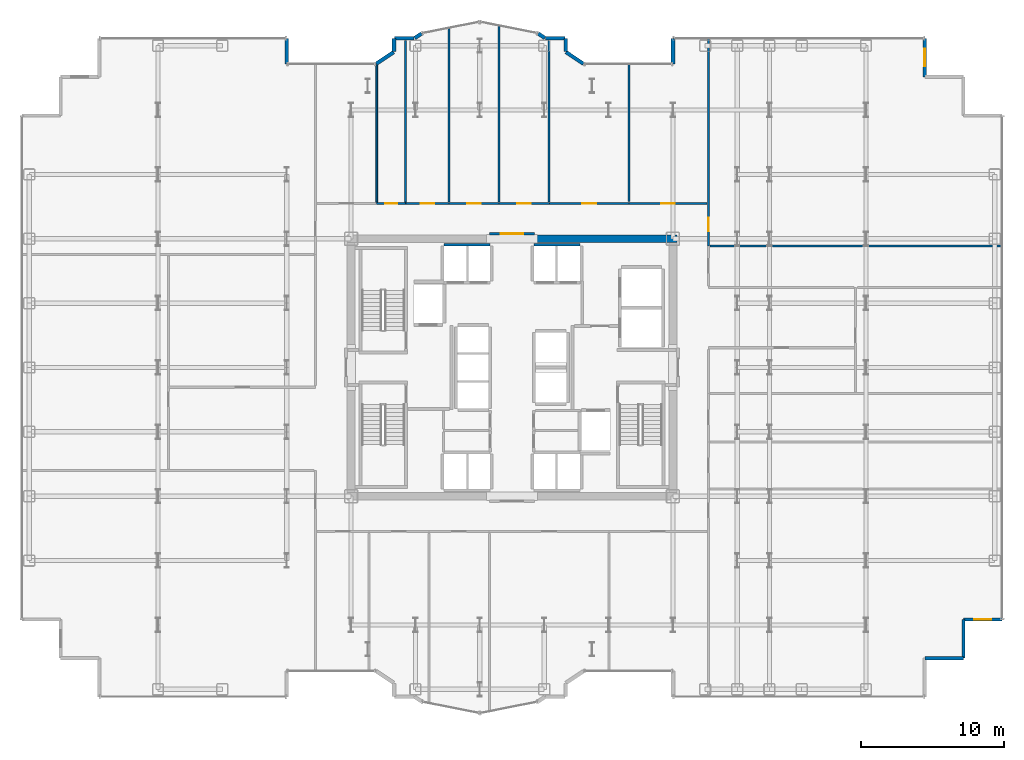
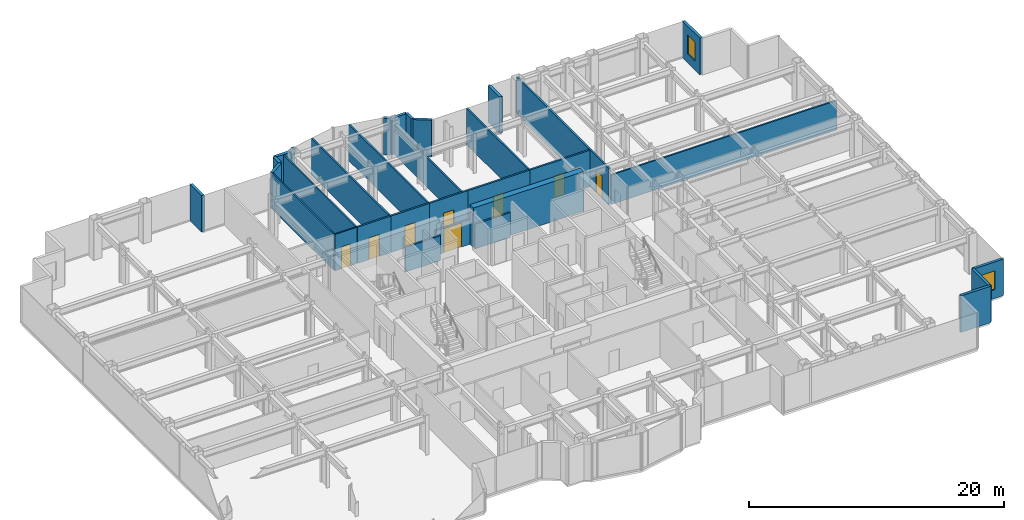
# One storey, part 24 of 26: 32 walls, 8 doors, 2 windows, 10 openings.
"""IFC4 building model written with IfcOpenShell, lengths in metres."""

from ifc_helpers import new_model, si_unit, direction, frame, frame_2d, origin, place, context, subcontext, project, spatial, rectangle, extrude, source, transform, mapped, material, layer, layer_set, type_object, element, fill, save


model = new_model("IFC4")

# Units and contexts
model_context = context("Model", 3, precision=1e-05, world=origin(), true_north=direction((0.0, 1.0)))
body_context = subcontext(model_context, "Body", "Model", "MODEL_VIEW")
ifc_project = project(units=[si_unit("LENGTHUNIT", "METRE"), si_unit("AREAUNIT", "SQUARE_METRE"), si_unit("VOLUMEUNIT", "CUBIC_METRE"), si_unit("PLANEANGLEUNIT", "RADIAN"), si_unit("MASSUNIT", "GRAM", prefix="KILO")], contexts=[model_context])

# Site, building, storey
site_placement = place(None, origin())
site = spatial("IfcSite", under=ifc_project, at=site_placement, CompositionType="ELEMENT")
building_placement = place(site_placement, origin())
building = spatial("IfcBuilding", under=site, at=building_placement, Name="Nefas-Gora Pilgrimage Tower", CompositionType="ELEMENT")
storey_placement = place(building_placement, frame((0.0, 0.0, 140.199951171875)))
storey = spatial("IfcBuildingStorey", under=building, at=storey_placement, Name="L34", CompositionType="ELEMENT", Elevation=140.199951171875)

# Walls
ifc_material_1 = material(Name="Concrete C60/75", Category="concrete")
ifc_layer_1 = layer(ifc_material_1, 0.550048828125)
ifc_layer_set_1 = layer_set([ifc_layer_1], Name="Concrete C60/75")
wall_type_1 = type_object("IfcWallType", Name="SW-CORE-550", PredefinedType="SHEAR", material=ifc_layer_set_1)
shared_shape_1 = source(origin(), body_context, "Body", "SweptSolid", [
    extrude(rectangle(XDim=9.974853515625, YDim=0.550048828125, at=frame_2d((4.9873046875, 0.0))), origin(), (0.0, 0.0, 1.0), 3.800048828125),
])
wall_1_placement = place(storey_placement, frame((1.550048828125, 9.0, 0.0), z_axis=(0.0, 0.0, 1.0), x_axis=(1.0, 0.0, 0.0)))
element("IfcWall", 1, at=wall_1_placement, inside=storey, type_object=wall_type_1, Name="L34 Core Shear Wall N-East", PredefinedType="SHEAR", context=body_context, shape_type="MappedRepresentation", body=[
    mapped(shared_shape_1, transform((0.0, 0.0, 0.0), x_axis=(1.0, 0.0, 0.0), y_axis=(0.0, 1.0, 0.0), z_axis=(0.0, 0.0, 1.0), scale=1.0)),
])
ifc_material_2 = material(Name="Precast concrete C40/50", Category="concrete")
ifc_layer_2 = layer(ifc_material_2, 0.260009765625)
ifc_layer_set_2 = layer_set([ifc_layer_2], Name="Precast concrete C40/50")
wall_type_2 = type_object("IfcWallType", Name="EW-PORTAL-260", PredefinedType="SOLIDWALL", material=ifc_layer_set_2)
shared_shape_2 = source(origin(), body_context, "Body", "SweptSolid", [
    extrude(rectangle(XDim=1.800048828125, YDim=0.260009765625, at=frame_2d((0.89990234375, 0.0))), origin(), (0.0, 0.0, 1.0), 3.5),
])
for number, where, z_axis, x_axis, name in (
    (2, (11.25, 23.02001953125, 0.0), (0.0, 0.0, 1.0), (0.0, -1.0, 0.0), "L34 Lobe Shoulder Precast Spandrel Pier 10"),
    (3, (-15.75, 21.219970703125, 0.0), (0.0, 0.0, 1.0), (0.0, 1.0, 0.0), "L34 Lobe Shoulder Precast Spandrel Pier 19"),
):
    element("IfcWall", number, at=place(storey_placement, frame(where, z_axis=z_axis, x_axis=x_axis)), inside=storey, type_object=wall_type_2, Name=name, PredefinedType="SOLIDWALL", context=body_context, shape_type="MappedRepresentation", body=[
        mapped(shared_shape_2, transform((0.0, 0.0, 0.0), x_axis=(1.0, 0.0, 0.0), y_axis=(0.0, 1.0, 0.0), z_axis=(0.0, 0.0, 1.0), scale=1.0)),
    ])
ifc_material_3 = material(Name="Precast concrete C45/55", Category="concrete")
ifc_layer_3 = layer(ifc_material_3, 0.239990234375)
ifc_layer_set_3 = layer_set([ifc_layer_3], Name="Precast concrete C45/55")
wall_type_3 = type_object("IfcWallType", Name="EW-SERR-240", PredefinedType="SHEAR", material=ifc_layer_set_3)
shared_shape_3 = source(origin(), body_context, "Body", "SweptSolid", [
    extrude(rectangle(XDim=2.699951171875, YDim=0.239990234375, at=frame_2d((1.35009765625, 0.0))), origin(), (0.0, 0.0, 1.0), 3.5),
])
for number, where, z_axis, x_axis, name in (
    (4, (28.8701171875, -20.320068359375, 0.0), (0.0, 0.0, 1.0), (1.0, 0.0, 0.0), "L34 Serrated Corner Shear Pier Wall 3"),
    (5, (31.570068359375, -20.320068359375, 0.0), (0.0, 0.0, 1.0), (0.0, 1.0, 0.0), "L34 Serrated Corner Shear Pier Wall 4"),
):
    element("IfcWall", number, at=place(storey_placement, frame(where, z_axis=z_axis, x_axis=x_axis)), inside=storey, type_object=wall_type_3, Name=name, PredefinedType="SHEAR", context=body_context, shape_type="MappedRepresentation", body=[
        mapped(shared_shape_3, transform((0.0, 0.0, 0.0), x_axis=(1.0, 0.0, 0.0), y_axis=(0.0, 1.0, 0.0), z_axis=(0.0, 0.0, 1.0), scale=1.0)),
    ])

# Wall, opening, window
wall_2_placement = place(storey_placement, frame((31.570068359375, -17.6201171875, 0.0), z_axis=(0.0, 0.0, 1.0), x_axis=(1.0, 0.0, 0.0)))
wall_2 = element("IfcWall", 6, at=wall_2_placement, inside=storey, type_object=wall_type_3, Name="L34 Serrated Corner Shear Pier Wall 5", PredefinedType="SHEAR", context=body_context, shape_type="MappedRepresentation", body=[
    mapped(shared_shape_3, transform((0.0, 0.0, 0.0), x_axis=(1.0, 0.0, 0.0), y_axis=(0.0, 1.0, 0.0), z_axis=(0.0, 0.0, 1.0), scale=1.0)),
])
opening_1_placement = place(wall_2_placement, frame((0.75, 0.0, 0.85009765625)))
opening_1 = element("IfcOpeningElement", 7, at=opening_1_placement, cuts=wall_2, Name="Opening W-V1", PredefinedType="OPENING", context=body_context, shape_type="SweptSolid", body=[
    extrude(rectangle(XDim=1.199951171875, YDim=1.800048828125, at=frame_2d((0.60009765625, 0.89990234375))), frame((0.0, 0.1298828125, 0.0), z_axis=(0.0, -1.0, 0.0), x_axis=(1.0, 0.0, 0.0)), (0.0, 0.0, 1.0), 0.260009765625),
])
ifc_material_4 = material(Name="Dark ceramic-fritted operable aluminium-glass window", Category="aluminium")
window_type = type_object("IfcWindowType", Name="WIN-VENT-1200x1800", PartitioningType="SINGLE_PANEL", PredefinedType="WINDOW", material=ifc_material_4)
shared_shape_4 = source(origin(), body_context, "Body", "SweptSolid", [
    extrude(rectangle(XDim=1.199951171875, YDim=1.800048828125, at=frame_2d((0.60009765625, 0.89990234375))), frame((0.0, 0.030029296875, 0.0), z_axis=(0.0, -1.0, 0.0), x_axis=(1.0, 0.0, 0.0)), (0.0, 0.0, 1.0), 0.06005859375),
])
window_1_placement = place(opening_1_placement, origin())
window_1 = element("IfcWindow", 8, at=window_1_placement, inside=storey, type_object=window_type, Name="L34 Operable Parallel-Outswing Window 5", OverallHeight=1.800048828125, OverallWidth=1.199951171875, PartitioningType="SINGLE_PANEL", PredefinedType="WINDOW", context=body_context, shape_type="MappedRepresentation", body=[
    mapped(shared_shape_4, transform((0.0, 0.0, 0.0), x_axis=(1.0, 0.0, 0.0), y_axis=(0.0, 1.0, 0.0), z_axis=(0.0, 0.0, 1.0), scale=1.0)),
])
fill(opening_1, window_1)

wall_3_placement = place(storey_placement, frame((28.8701171875, 20.320068359375, 0.0), z_axis=(0.0, 0.0, 1.0), x_axis=(0.0, 1.0, 0.0)))
wall_3 = element("IfcWall", 9, at=wall_3_placement, inside=storey, type_object=wall_type_3, Name="L34 Serrated Corner Shear Pier Wall 9", PredefinedType="SHEAR", context=body_context, shape_type="MappedRepresentation", body=[
    mapped(shared_shape_3, transform((0.0, 0.0, 0.0), x_axis=(1.0, 0.0, 0.0), y_axis=(0.0, 1.0, 0.0), z_axis=(0.0, 0.0, 1.0), scale=1.0)),
])
opening_2_placement = place(wall_3_placement, frame((0.75, 0.0, 0.85009765625)))
opening_2 = element("IfcOpeningElement", 10, at=opening_2_placement, cuts=wall_3, Name="Opening W-V1", PredefinedType="OPENING", context=body_context, shape_type="SweptSolid", body=[
    extrude(rectangle(XDim=1.199951171875, YDim=1.800048828125, at=frame_2d((0.60009765625, 0.89990234375))), frame((0.0, 0.1298828125, 0.0), z_axis=(0.0, -1.0, 0.0), x_axis=(1.0, 0.0, 0.0)), (0.0, 0.0, 1.0), 0.260009765625),
])
window_2_placement = place(opening_2_placement, origin())
window_2 = element("IfcWindow", 11, at=window_2_placement, inside=storey, type_object=window_type, Name="L34 Operable Parallel-Outswing Window 9", OverallHeight=1.800048828125, OverallWidth=1.199951171875, PartitioningType="SINGLE_PANEL", PredefinedType="WINDOW", context=body_context, shape_type="MappedRepresentation", body=[
    mapped(shared_shape_4, transform((0.0, 0.0, 0.0), x_axis=(1.0, 0.0, 0.0), y_axis=(0.0, 1.0, 0.0), z_axis=(0.0, 0.0, 1.0), scale=1.0)),
])
fill(opening_2, window_2)

# Walls
shared_shape_5 = source(origin(), body_context, "Body", "SweptSolid", [
    extrude(rectangle(XDim=1.468994140625, YDim=0.260009765625, at=frame_2d((0.734375, 0.0))), origin(), (0.0, 0.0, 1.0), 3.5),
])
for number, where, z_axis, x_axis, name in (
    (12, (4.99462890625, 21.235595703125, 0.0), (0.0, 0.0, 1.0), (-0.831461760506, 0.555581983884, 0.0), "L34 Lobe Shoulder Precast Spandrel Pier 11"),
    (13, (-8.273193359375, 22.0517578125, 0.0), (0.0, 0.0, 1.0), (-0.831461760506, -0.555581983884, 0.0), "L34 Lobe Shoulder Precast Spandrel Pier 18"),
):
    element("IfcWall", number, at=place(storey_placement, frame(where, z_axis=z_axis, x_axis=x_axis)), inside=storey, type_object=wall_type_2, Name=name, PredefinedType="SOLIDWALL", context=body_context, shape_type="MappedRepresentation", body=[
        mapped(shared_shape_5, transform((0.0, 0.0, 0.0), x_axis=(1.0, 0.0, 0.0), y_axis=(0.0, 1.0, 0.0), z_axis=(0.0, 0.0, 1.0), scale=1.0)),
    ])
shared_shape_6 = source(origin(), body_context, "Body", "SweptSolid", [
    extrude(rectangle(XDim=0.896728515625, YDim=0.260009765625, at=frame_2d((0.4482421875, 0.0))), origin(), (0.0, 0.0, 1.0), 3.5),
])
for number, where, z_axis, x_axis, name in (
    (14, (3.75, 22.09521484375, 0.0), (0.0, 0.0, 1.0), (0.0, 1.0, 0.0), "L34 Lobe Shoulder Precast Spandrel Pier 12"),
    (15, (-8.25, 22.991943359375, 0.0), (0.0, 0.0, 1.0), (0.0, -1.0, 0.0), "L34 Lobe Shoulder Precast Spandrel Pier 17"),
):
    element("IfcWall", number, at=place(storey_placement, frame(where, z_axis=z_axis, x_axis=x_axis)), inside=storey, type_object=wall_type_2, Name=name, PredefinedType="SOLIDWALL", context=body_context, shape_type="MappedRepresentation", body=[
        mapped(shared_shape_6, transform((0.0, 0.0, 0.0), x_axis=(1.0, 0.0, 0.0), y_axis=(0.0, 1.0, 0.0), z_axis=(0.0, 0.0, 1.0), scale=1.0)),
    ])
shared_shape_7 = source(origin(), body_context, "Body", "SweptSolid", [
    extrude(rectangle(XDim=1.369873046875, YDim=0.260009765625, at=frame_2d((0.68505859375, 0.0))), origin(), (0.0, 0.0, 1.0), 3.5),
])
for number, where, z_axis, x_axis, name in (
    (16, (3.721923828125, 23.02001953125, 0.0), (0.0, 0.0, 1.0), (-1.0, 0.0, 0.0), "L34 Lobe Shoulder Precast Spandrel Pier 13"),
    (17, (-6.85205078125, 23.02001953125, 0.0), (0.0, 0.0, 1.0), (-1.0, 0.0, 0.0), "L34 Lobe Shoulder Precast Spandrel Pier 16"),
):
    element("IfcWall", number, at=place(storey_placement, frame(where, z_axis=z_axis, x_axis=x_axis)), inside=storey, type_object=wall_type_2, Name=name, PredefinedType="SOLIDWALL", context=body_context, shape_type="MappedRepresentation", body=[
        mapped(shared_shape_7, transform((0.0, 0.0, 0.0), x_axis=(1.0, 0.0, 0.0), y_axis=(0.0, 1.0, 0.0), z_axis=(0.0, 0.0, 1.0), scale=1.0)),
    ])
shared_shape_8 = source(origin(), body_context, "Body", "SweptSolid", [
    extrude(rectangle(XDim=0.5654296875, YDim=0.260009765625, at=frame_2d((0.28271484375, 0.0))), origin(), (0.0, 0.0, 1.0), 3.5),
])
for number, where, z_axis, x_axis, name in (
    (18, (2.30078125, 23.03564453125, 0.0), (0.0, 0.0, 1.0), (-0.831651492666, 0.555297933317, 0.0), "L34 Lobe Shoulder Precast Spandrel Pier 14"),
    (19, (-6.33056640625, 23.349609375, 0.0), (0.0, 0.0, 1.0), (-0.831651492666, -0.555297933317, 0.0), "L34 Lobe Shoulder Precast Spandrel Pier 15"),
):
    element("IfcWall", number, at=place(storey_placement, frame(where, z_axis=z_axis, x_axis=x_axis)), inside=storey, type_object=wall_type_2, Name=name, PredefinedType="SOLIDWALL", context=body_context, shape_type="MappedRepresentation", body=[
        mapped(shared_shape_8, transform((0.0, 0.0, 0.0), x_axis=(1.0, 0.0, 0.0), y_axis=(0.0, 1.0, 0.0), z_axis=(0.0, 0.0, 1.0), scale=1.0)),
    ])
ifc_material_5 = material(Name="Gypsum acoustic stud partition")
ifc_layer_4 = layer(ifc_material_5, 0.159912109375)
ifc_layer_set_4 = layer_set([ifc_layer_4], Name="Gypsum acoustic stud partition")
wall_type_4 = type_object("IfcWallType", Name="IW-CORR-160", PredefinedType="PARTITIONING", material=ifc_layer_set_4)
shared_shape_9 = source(origin(), body_context, "Body", "SweptSolid", [
    extrude(rectangle(XDim=3.199951171875, YDim=0.159912109375, at=frame_2d((1.60009765625, 0.0))), origin(), (0.0, 0.0, 1.0), 2.375),
])
for number, where, z_axis, x_axis, name in (
    (20, (-1.550048828125, 8.580078125, 0.0), (0.0, 0.0, 1.0), (-1.0, 0.0, 0.0), "L34 Hoistway Wall PL1-W-N"),
    (21, (4.75, 8.580078125, 0.0), (0.0, 0.0, 1.0), (-1.0, 0.0, 0.0), "L34 Hoistway Wall PL1-E-N"),
):
    element("IfcWall", number, at=place(storey_placement, frame(where, z_axis=z_axis, x_axis=x_axis)), inside=storey, type_object=wall_type_4, Name=name, PredefinedType="PARTITIONING", context=body_context, shape_type="MappedRepresentation", body=[
        mapped(shared_shape_9, transform((0.0, 0.0, 0.0), x_axis=(1.0, 0.0, 0.0), y_axis=(0.0, 1.0, 0.0), z_axis=(0.0, 0.0, 1.0), scale=1.0)),
    ])
ifc_material_6 = material(Name="Gypsum twin-stud partition")
ifc_layer_5 = layer(ifc_material_6, 0.139892578125)
ifc_layer_set_5 = layer_set([ifc_layer_5], Name="Gypsum twin-stud partition")
wall_type_5 = type_object("IfcWallType", Name="IW-UNIT-140", PredefinedType="PARTITIONING", material=ifc_layer_set_5)
shared_shape_10 = source(origin(), body_context, "Body", "SweptSolid", [
    extrude(rectangle(XDim=11.260009765625, YDim=0.139892578125, at=frame_2d((5.6298828125, 0.0))), origin(), (0.0, 0.0, 1.0), 2.824951171875),
])
wall_4_placement = place(storey_placement, frame((2.594970703125, 11.590087890625, 0.0), z_axis=(0.0, 0.0, 1.0), x_axis=(0.0, 1.0, 0.0)))
element("IfcWall", 22, at=wall_4_placement, inside=storey, type_object=wall_type_5, Name="L34 Pilgrim Contemplative Lounge Partition Wall 55", PredefinedType="PARTITIONING", context=body_context, shape_type="MappedRepresentation", body=[
    mapped(shared_shape_10, transform((0.0, 0.0, 0.0), x_axis=(1.0, 0.0, 0.0), y_axis=(0.0, 1.0, 0.0), z_axis=(0.0, 0.0, 1.0), scale=1.0)),
])
shared_shape_11 = source(origin(), body_context, "Body", "SweptSolid", [
    extrude(rectangle(XDim=20.429931640625, YDim=0.139892578125, at=frame_2d((10.21484375, 0.0))), origin(), (0.0, 0.0, 1.0), 2.824951171875),
])
wall_5_placement = place(storey_placement, frame((13.860107421875, 8.4951171875, 0.0), z_axis=(0.0, 0.0, 1.0), x_axis=(1.0, 0.0, 0.0)))
element("IfcWall", 23, at=wall_5_placement, inside=storey, type_object=wall_type_5, Name="L34 Pilgrim Contemplative Lounge Partition Wall 47", PredefinedType="PARTITIONING", context=body_context, shape_type="MappedRepresentation", body=[
    mapped(shared_shape_11, transform((0.0, 0.0, 0.0), x_axis=(1.0, 0.0, 0.0), y_axis=(0.0, 1.0, 0.0), z_axis=(0.0, 0.0, 1.0), scale=1.0)),
])

# Wall, opening, door
ifc_material_7 = material(Name="Moisture-resistant fire-rated gypsum partition")
ifc_layer_6 = layer(ifc_material_7, 0.1201171875)
ifc_layer_set_6 = layer_set([ifc_layer_6], Name="Moisture-resistant fire-rated gypsum partition")
wall_type_6 = type_object("IfcWallType", Name="IW-WET-120", PredefinedType="PLUMBINGWALL", material=ifc_layer_set_6)
shared_shape_12 = source(origin(), body_context, "Body", "SweptSolid", [
    extrude(rectangle(XDim=2.02001953125, YDim=0.1201171875, at=frame_2d((1.010009765625, 0.0))), origin(), (0.0, 0.0, 1.0), 3.485107421875),
])
wall_6_placement = place(storey_placement, frame((-9.4599609375, 11.469970703125, 0.0), z_axis=(0.0, 0.0, 1.0), x_axis=(1.0, 0.0, 0.0)))
wall_6 = element("IfcWall", 24, at=wall_6_placement, inside=storey, type_object=wall_type_6, Name="L34 Accessible Unisex WC Partition Wall 25", PredefinedType="PLUMBINGWALL", context=body_context, shape_type="MappedRepresentation", body=[
    mapped(shared_shape_12, transform((0.0, 0.0, 0.0), x_axis=(1.0, 0.0, 0.0), y_axis=(0.0, 1.0, 0.0), z_axis=(0.0, 0.0, 1.0), scale=1.0)),
])
opening_3_placement = place(wall_6_placement, frame((0.5849609375, 0.0, 0.0)))
opening_3 = element("IfcOpeningElement", 25, at=opening_3_placement, cuts=wall_6, Name="Opening ID-BT1", PredefinedType="OPENING", context=body_context, shape_type="SweptSolid", body=[
    extrude(rectangle(XDim=0.85009765625, YDim=2.10009765625, at=frame_2d((0.425048828125, 1.050048828125))), frame((0.0, 0.070068359375, 0.0), z_axis=(0.0, -1.0, 0.0), x_axis=(1.0, 0.0, 0.0)), (0.0, 0.0, 1.0), 0.14013671875),
])
ifc_material_8 = material(Name="Moisture-resistant fire-rated timber door", Category="wood")
door_type_1 = type_object("IfcDoorType", Name="DR-INT-BATH-850", OperationType="NOTDEFINED", PredefinedType="DOOR", material=ifc_material_8)
shared_shape_13 = source(origin(), body_context, "Body", "SweptSolid", [
    extrude(rectangle(XDim=0.85009765625, YDim=2.10009765625, at=frame_2d((0.425048828125, 1.050048828125))), frame((0.0, 0.02490234375, 0.0), z_axis=(0.0, -1.0, 0.0), x_axis=(1.0, 0.0, 0.0)), (0.0, 0.0, 1.0), 0.050048828125),
])
door_1_placement = place(opening_3_placement, origin())
door_1 = element("IfcDoor", 26, at=door_1_placement, inside=storey, type_object=door_type_1, Name="L34 Accessible Unisex WC Door 10", OperationType="SINGLE_SWING_RIGHT", OverallHeight=2.10009765625, OverallWidth=0.85009765625, PredefinedType="DOOR", context=body_context, shape_type="MappedRepresentation", body=[
    mapped(shared_shape_13, transform((0.0, 0.0, 0.0), x_axis=(1.0, 0.0, 0.0), y_axis=(0.0, 1.0, 0.0), z_axis=(0.0, 0.0, 1.0), scale=1.0)),
])
fill(opening_3, door_1)

# Walls
shared_shape_14 = source(origin(), body_context, "Body", "SweptSolid", [
    extrude(rectangle(XDim=11.280029296875, YDim=0.1201171875, at=frame_2d((5.64013671875, 0.0))), origin(), (0.0, 0.0, 1.0), 3.485107421875),
])
wall_7_placement = place(storey_placement, frame((-7.449951171875, 11.570068359375, 0.0), z_axis=(0.0, 0.0, 1.0), x_axis=(0.0, 1.0, 0.0)))
element("IfcWall", 27, at=wall_7_placement, inside=storey, type_object=wall_type_6, Name="L34 Accessible Unisex WC Partition Wall 26", PredefinedType="PLUMBINGWALL", context=body_context, shape_type="MappedRepresentation", body=[
    mapped(shared_shape_14, transform((0.0, 0.0, 0.0), x_axis=(1.0, 0.0, 0.0), y_axis=(0.0, 1.0, 0.0), z_axis=(0.0, 0.0, 1.0), scale=1.0)),
])
shared_shape_15 = source(origin(), body_context, "Body", "SweptSolid", [
    extrude(rectangle(XDim=9.586669921875, YDim=0.1201171875, at=frame_2d((4.79345703125, 0.0))), origin(), (0.0, 0.0, 1.0), 3.485107421875),
])
wall_8_placement = place(storey_placement, frame((-9.449951171875, 11.570068359375, 0.0), z_axis=(0.0, 0.0, 1.0), x_axis=(0.0, 1.0, 0.0)))
element("IfcWall", 28, at=wall_8_placement, inside=storey, type_object=wall_type_6, Name="L34 Accessible Unisex WC Partition Wall 27", PredefinedType="PLUMBINGWALL", context=body_context, shape_type="MappedRepresentation", body=[
    mapped(shared_shape_15, transform((0.0, 0.0, 0.0), x_axis=(1.0, 0.0, 0.0), y_axis=(0.0, 1.0, 0.0), z_axis=(0.0, 0.0, 1.0), scale=1.0)),
])
shared_shape_16 = source(origin(), body_context, "Body", "SweptSolid", [
    extrude(rectangle(XDim=9.64990234375, YDim=0.139892578125, at=frame_2d((4.824951171875, 0.0))), origin(), (0.0, 0.0, 1.0), 3.485107421875),
])
wall_9_placement = place(storey_placement, frame((8.195068359375, 11.590087890625, 0.0), z_axis=(0.0, 0.0, 1.0), x_axis=(0.0, 1.0, 0.0)))
element("IfcWall", 29, at=wall_9_placement, inside=storey, type_object=wall_type_5, Name="L34 Pilgrim Contemplative Lounge Partition Wall 57", PredefinedType="PARTITIONING", context=body_context, shape_type="MappedRepresentation", body=[
    mapped(shared_shape_16, transform((0.0, 0.0, 0.0), x_axis=(1.0, 0.0, 0.0), y_axis=(0.0, 1.0, 0.0), z_axis=(0.0, 0.0, 1.0), scale=1.0)),
])

# Wall, opening, door
shared_shape_17 = source(origin(), body_context, "Body", "SweptSolid", [
    extrude(rectangle(XDim=3.16015625, YDim=0.159912109375, at=frame_2d((1.580078125, 0.0))), origin(), (0.0, 0.0, 1.0), 2.375),
])
wall_10_placement = place(storey_placement, frame((-1.580078125, 9.35009765625, 0.0), z_axis=(0.0, 0.0, 1.0), x_axis=(1.0, 0.0, 0.0)))
wall_10 = element("IfcWall", 30, at=wall_10_placement, inside=storey, type_object=wall_type_4, Name="L34 Central Lift Lobby North Portal Wall 13", PredefinedType="PARTITIONING", context=body_context, shape_type="MappedRepresentation", body=[
    mapped(shared_shape_17, transform((0.0, 0.0, 0.0), x_axis=(1.0, 0.0, 0.0), y_axis=(0.0, 1.0, 0.0), z_axis=(0.0, 0.0, 1.0), scale=1.0)),
])
opening_4_placement = place(wall_10_placement, frame((0.780029296875, 0.0, 0.0)))
opening_4 = element("IfcOpeningElement", 31, at=opening_4_placement, cuts=wall_10, Name="Opening ID-HL1", PredefinedType="OPENING", context=body_context, shape_type="SweptSolid", body=[
    extrude(rectangle(XDim=1.60009765625, YDim=2.300048828125, at=frame_2d((0.800048828125, 1.14990234375))), frame((0.0, 0.08984375, 0.0), z_axis=(0.0, -1.0, 0.0), x_axis=(1.0, 0.0, 0.0)), (0.0, 0.0, 1.0), 0.179931640625),
])
ifc_material_9 = material(Name="Double acoustic timber assembly hall door", Category="wood")
door_type_2 = type_object("IfcDoorType", Name="DR-INT-HALL-1600", OperationType="DOUBLE_DOOR_SINGLE_SWING", PredefinedType="DOOR", material=ifc_material_9)
shared_shape_18 = source(origin(), body_context, "Body", "SweptSolid", [
    extrude(rectangle(XDim=1.60009765625, YDim=2.300048828125, at=frame_2d((0.800048828125, 1.14990234375))), frame((0.0, 0.02490234375, 0.0), z_axis=(0.0, -1.0, 0.0), x_axis=(1.0, 0.0, 0.0)), (0.0, 0.0, 1.0), 0.050048828125),
])
door_2_placement = place(opening_4_placement, origin())
door_2 = element("IfcDoor", 32, at=door_2_placement, inside=storey, type_object=door_type_2, Name="L34 Central Lift Lobby North Portal Door 4", OperationType="DOUBLE_DOOR_SINGLE_SWING", OverallHeight=2.300048828125, OverallWidth=1.60009765625, PredefinedType="DOOR", context=body_context, shape_type="MappedRepresentation", body=[
    mapped(shared_shape_18, transform((0.0, 0.0, 0.0), x_axis=(1.0, 0.0, 0.0), y_axis=(0.0, 1.0, 0.0), z_axis=(0.0, 0.0, 1.0), scale=1.0)),
])
fill(opening_4, door_2)

shared_shape_19 = source(origin(), body_context, "Body", "SweptSolid", [
    extrude(rectangle(XDim=14.544921875, YDim=0.159912109375, at=frame_2d((7.2724609375, 0.0))), origin(), (0.0, 0.0, 1.0), 3.485107421875),
])
wall_11_placement = place(storey_placement, frame((13.739990234375, 8.4951171875, 0.0), z_axis=(0.0, 0.0, 1.0), x_axis=(0.0, 1.0, 0.0)))
wall_11 = element("IfcWall", 33, at=wall_11_placement, inside=storey, type_object=wall_type_4, Name="L34 Pilgrim Contemplative Lounge Partition Wall 48", PredefinedType="PARTITIONING", context=body_context, shape_type="MappedRepresentation", body=[
    mapped(shared_shape_19, transform((0.0, 0.0, 0.0), x_axis=(1.0, 0.0, 0.0), y_axis=(0.0, 1.0, 0.0), z_axis=(0.0, 0.0, 1.0), scale=1.0)),
])
opening_5_placement = place(wall_11_placement, frame((1.032470703125, 0.0, 0.0)))
opening_5 = element("IfcOpeningElement", 34, at=opening_5_placement, cuts=wall_11, Name="Opening ID-GR1", PredefinedType="OPENING", context=body_context, shape_type="SweptSolid", body=[
    extrude(rectangle(XDim=0.949951171875, YDim=2.10009765625, at=frame_2d((0.47509765625, 1.050048828125))), frame((0.0, 0.08984375, 0.0), z_axis=(0.0, -1.0, 0.0), x_axis=(1.0, 0.0, 0.0)), (0.0, 0.0, 1.0), 0.179931640625),
])
ifc_material_10 = material(Name="Solid core oak fire-rated guest entrance door")
door_type_3 = type_object("IfcDoorType", Name="DR-INT-GUEST-950", OperationType="NOTDEFINED", PredefinedType="DOOR", material=ifc_material_10)
shared_shape_20 = source(origin(), body_context, "Body", "SweptSolid", [
    extrude(rectangle(XDim=0.949951171875, YDim=2.10009765625, at=frame_2d((0.47509765625, 1.050048828125))), frame((0.0, 0.02490234375, 0.0), z_axis=(0.0, -1.0, 0.0), x_axis=(1.0, 0.0, 0.0)), (0.0, 0.0, 1.0), 0.050048828125),
])
door_3_placement = place(opening_5_placement, origin())
door_3 = element("IfcDoor", 35, at=door_3_placement, inside=storey, type_object=door_type_3, Name="L34 Pilgrim Contemplative Lounge Door 21", OperationType="SINGLE_SWING_LEFT", OverallHeight=2.10009765625, OverallWidth=0.949951171875, PredefinedType="DOOR", context=body_context, shape_type="MappedRepresentation", body=[
    mapped(shared_shape_20, transform((0.0, 0.0, 0.0), x_axis=(1.0, 0.0, 0.0), y_axis=(0.0, 1.0, 0.0), z_axis=(0.0, 0.0, 1.0), scale=1.0)),
])
fill(opening_5, door_3)

shared_shape_21 = source(origin(), body_context, "Body", "SweptSolid", [
    extrude(rectangle(XDim=3.010009765625, YDim=0.159912109375, at=frame_2d((1.5048828125, 0.0))), origin(), (0.0, 0.0, 1.0), 3.485107421875),
])
wall_12_placement = place(storey_placement, frame((-7.405029296875, 11.469970703125, 0.0), z_axis=(0.0, 0.0, 1.0), x_axis=(1.0, 0.0, 0.0)))
wall_12 = element("IfcWall", 36, at=wall_12_placement, inside=storey, type_object=wall_type_4, Name="L34 Pilgrim Contemplative Lounge Partition Wall 50", PredefinedType="PARTITIONING", context=body_context, shape_type="MappedRepresentation", body=[
    mapped(shared_shape_21, transform((0.0, 0.0, 0.0), x_axis=(1.0, 0.0, 0.0), y_axis=(0.0, 1.0, 0.0), z_axis=(0.0, 0.0, 1.0), scale=1.0)),
])
opening_6_placement = place(wall_12_placement, frame((1.030029296875, 0.0, 0.0)))
opening_6 = element("IfcOpeningElement", 37, at=opening_6_placement, cuts=wall_12, Name="Opening ID-GR1", PredefinedType="OPENING", context=body_context, shape_type="SweptSolid", body=[
    extrude(rectangle(XDim=0.949951171875, YDim=2.10009765625, at=frame_2d((0.47509765625, 1.050048828125))), frame((0.0, 0.08984375, 0.0), z_axis=(0.0, -1.0, 0.0), x_axis=(1.0, 0.0, 0.0)), (0.0, 0.0, 1.0), 0.179931640625),
])
door_4_placement = place(opening_6_placement, origin())
door_4 = element("IfcDoor", 38, at=door_4_placement, inside=storey, type_object=door_type_3, Name="L34 Pilgrim Contemplative Lounge Door 23", OperationType="SINGLE_SWING_LEFT", OverallHeight=2.10009765625, OverallWidth=0.949951171875, PredefinedType="DOOR", context=body_context, shape_type="MappedRepresentation", body=[
    mapped(shared_shape_20, transform((0.0, 0.0, 0.0), x_axis=(1.0, 0.0, 0.0), y_axis=(0.0, 1.0, 0.0), z_axis=(0.0, 0.0, 1.0), scale=1.0)),
])
fill(opening_6, door_4)

# Wall
shared_shape_22 = source(origin(), body_context, "Body", "SweptSolid", [
    extrude(rectangle(XDim=12.176025390625, YDim=0.139892578125, at=frame_2d((6.087890625, 0.0))), origin(), (0.0, 0.0, 1.0), 3.485107421875),
])
wall_13_placement = place(storey_placement, frame((-4.405029296875, 11.590087890625, 0.0), z_axis=(0.0, 0.0, 1.0), x_axis=(0.0, 1.0, 0.0)))
element("IfcWall", 39, at=wall_13_placement, inside=storey, type_object=wall_type_5, Name="L34 Pilgrim Contemplative Lounge Partition Wall 51", PredefinedType="PARTITIONING", context=body_context, shape_type="MappedRepresentation", body=[
    mapped(shared_shape_22, transform((0.0, 0.0, 0.0), x_axis=(1.0, 0.0, 0.0), y_axis=(0.0, 1.0, 0.0), z_axis=(0.0, 0.0, 1.0), scale=1.0)),
])

# Wall, opening, door
shared_shape_23 = source(origin(), body_context, "Body", "SweptSolid", [
    extrude(rectangle(XDim=3.505126953125, YDim=0.159912109375, at=frame_2d((1.75244140625, 0.0))), origin(), (0.0, 0.0, 1.0), 3.485107421875),
])
wall_14_placement = place(storey_placement, frame((-4.405029296875, 11.469970703125, 0.0), z_axis=(0.0, 0.0, 1.0), x_axis=(1.0, 0.0, 0.0)))
wall_14 = element("IfcWall", 40, at=wall_14_placement, inside=storey, type_object=wall_type_4, Name="L34 Pilgrim Contemplative Lounge Partition Wall 52", PredefinedType="PARTITIONING", context=body_context, shape_type="MappedRepresentation", body=[
    mapped(shared_shape_23, transform((0.0, 0.0, 0.0), x_axis=(1.0, 0.0, 0.0), y_axis=(0.0, 1.0, 0.0), z_axis=(0.0, 0.0, 1.0), scale=1.0)),
])
opening_7_placement = place(wall_14_placement, frame((1.277587890625, 0.0, 0.0)))
opening_7 = element("IfcOpeningElement", 41, at=opening_7_placement, cuts=wall_14, Name="Opening ID-GR1", PredefinedType="OPENING", context=body_context, shape_type="SweptSolid", body=[
    extrude(rectangle(XDim=0.949951171875, YDim=2.10009765625, at=frame_2d((0.47509765625, 1.050048828125))), frame((0.0, 0.08984375, 0.0), z_axis=(0.0, -1.0, 0.0), x_axis=(1.0, 0.0, 0.0)), (0.0, 0.0, 1.0), 0.179931640625),
])
door_5_placement = place(opening_7_placement, origin())
door_5 = element("IfcDoor", 42, at=door_5_placement, inside=storey, type_object=door_type_3, Name="L34 Pilgrim Contemplative Lounge Door 24", OperationType="SINGLE_SWING_RIGHT", OverallHeight=2.10009765625, OverallWidth=0.949951171875, PredefinedType="DOOR", context=body_context, shape_type="MappedRepresentation", body=[
    mapped(shared_shape_20, transform((0.0, 0.0, 0.0), x_axis=(1.0, 0.0, 0.0), y_axis=(0.0, 1.0, 0.0), z_axis=(0.0, 0.0, 1.0), scale=1.0)),
])
fill(opening_7, door_5)

# Wall
shared_shape_24 = source(origin(), body_context, "Body", "SweptSolid", [
    extrude(rectangle(XDim=12.336181640625, YDim=0.139892578125, at=frame_2d((6.16796875, 0.0))), origin(), (0.0, 0.0, 1.0), 3.485107421875),
])
wall_15_placement = place(storey_placement, frame((-0.909912109375, 11.590087890625, 0.0), z_axis=(0.0, 0.0, 1.0), x_axis=(0.0, 1.0, 0.0)))
element("IfcWall", 43, at=wall_15_placement, inside=storey, type_object=wall_type_5, Name="L34 Pilgrim Contemplative Lounge Partition Wall 53", PredefinedType="PARTITIONING", context=body_context, shape_type="MappedRepresentation", body=[
    mapped(shared_shape_24, transform((0.0, 0.0, 0.0), x_axis=(1.0, 0.0, 0.0), y_axis=(0.0, 1.0, 0.0), z_axis=(0.0, 0.0, 1.0), scale=1.0)),
])

# Wall, opening, door
shared_shape_25 = source(origin(), body_context, "Body", "SweptSolid", [
    extrude(rectangle(XDim=3.5048828125, YDim=0.159912109375, at=frame_2d((1.75244140625, 0.0))), origin(), (0.0, 0.0, 1.0), 3.485107421875),
])
wall_16_placement = place(storey_placement, frame((-0.89990234375, 11.469970703125, 0.0), z_axis=(0.0, 0.0, 1.0), x_axis=(1.0, 0.0, 0.0)))
wall_16 = element("IfcWall", 44, at=wall_16_placement, inside=storey, type_object=wall_type_4, Name="L34 Pilgrim Contemplative Lounge Partition Wall 54", PredefinedType="PARTITIONING", context=body_context, shape_type="MappedRepresentation", body=[
    mapped(shared_shape_25, transform((0.0, 0.0, 0.0), x_axis=(1.0, 0.0, 0.0), y_axis=(0.0, 1.0, 0.0), z_axis=(0.0, 0.0, 1.0), scale=1.0)),
])
opening_8_placement = place(wall_16_placement, frame((1.277587890625, 0.0, 0.0)))
opening_8 = element("IfcOpeningElement", 45, at=opening_8_placement, cuts=wall_16, Name="Opening ID-GR1", PredefinedType="OPENING", context=body_context, shape_type="SweptSolid", body=[
    extrude(rectangle(XDim=0.949951171875, YDim=2.10009765625, at=frame_2d((0.47509765625, 1.050048828125))), frame((0.0, 0.08984375, 0.0), z_axis=(0.0, -1.0, 0.0), x_axis=(1.0, 0.0, 0.0)), (0.0, 0.0, 1.0), 0.179931640625),
])
door_6_placement = place(opening_8_placement, origin())
door_6 = element("IfcDoor", 46, at=door_6_placement, inside=storey, type_object=door_type_3, Name="L34 Pilgrim Contemplative Lounge Door 25", OperationType="SINGLE_SWING_LEFT", OverallHeight=2.10009765625, OverallWidth=0.949951171875, PredefinedType="DOOR", context=body_context, shape_type="MappedRepresentation", body=[
    mapped(shared_shape_20, transform((0.0, 0.0, 0.0), x_axis=(1.0, 0.0, 0.0), y_axis=(0.0, 1.0, 0.0), z_axis=(0.0, 0.0, 1.0), scale=1.0)),
])
fill(opening_8, door_6)

shared_shape_26 = source(origin(), body_context, "Body", "SweptSolid", [
    extrude(rectangle(XDim=5.610107421875, YDim=0.159912109375, at=frame_2d((2.80517578125, 0.0))), origin(), (0.0, 0.0, 1.0), 3.485107421875),
])
wall_17_placement = place(storey_placement, frame((2.594970703125, 11.469970703125, 0.0), z_axis=(0.0, 0.0, 1.0), x_axis=(1.0, 0.0, 0.0)))
wall_17 = element("IfcWall", 47, at=wall_17_placement, inside=storey, type_object=wall_type_4, Name="L34 Pilgrim Contemplative Lounge Partition Wall 56", PredefinedType="PARTITIONING", context=body_context, shape_type="MappedRepresentation", body=[
    mapped(shared_shape_26, transform((0.0, 0.0, 0.0), x_axis=(1.0, 0.0, 0.0), y_axis=(0.0, 1.0, 0.0), z_axis=(0.0, 0.0, 1.0), scale=1.0)),
])
opening_9_placement = place(wall_17_placement, frame((2.330078125, 0.0, 0.0)))
opening_9 = element("IfcOpeningElement", 48, at=opening_9_placement, cuts=wall_17, Name="Opening ID-GR1", PredefinedType="OPENING", context=body_context, shape_type="SweptSolid", body=[
    extrude(rectangle(XDim=0.949951171875, YDim=2.10009765625, at=frame_2d((0.47509765625, 1.050048828125))), frame((0.0, 0.08984375, 0.0), z_axis=(0.0, -1.0, 0.0), x_axis=(1.0, 0.0, 0.0)), (0.0, 0.0, 1.0), 0.179931640625),
])
door_7_placement = place(opening_9_placement, origin())
door_7 = element("IfcDoor", 49, at=door_7_placement, inside=storey, type_object=door_type_3, Name="L34 Pilgrim Contemplative Lounge Door 26", OperationType="SINGLE_SWING_RIGHT", OverallHeight=2.10009765625, OverallWidth=0.949951171875, PredefinedType="DOOR", context=body_context, shape_type="MappedRepresentation", body=[
    mapped(shared_shape_20, transform((0.0, 0.0, 0.0), x_axis=(1.0, 0.0, 0.0), y_axis=(0.0, 1.0, 0.0), z_axis=(0.0, 0.0, 1.0), scale=1.0)),
])
fill(opening_9, door_7)

shared_shape_27 = source(origin(), body_context, "Body", "SweptSolid", [
    extrude(rectangle(XDim=5.425048828125, YDim=0.159912109375, at=frame_2d((2.71240234375, 0.0))), origin(), (0.0, 0.0, 1.0), 3.485107421875),
])
wall_18_placement = place(storey_placement, frame((8.195068359375, 11.469970703125, 0.0), z_axis=(0.0, 0.0, 1.0), x_axis=(1.0, 0.0, 0.0)))
wall_18 = element("IfcWall", 50, at=wall_18_placement, inside=storey, type_object=wall_type_4, Name="L34 Pilgrim Contemplative Lounge Partition Wall 58", PredefinedType="PARTITIONING", context=body_context, shape_type="MappedRepresentation", body=[
    mapped(shared_shape_27, transform((0.0, 0.0, 0.0), x_axis=(1.0, 0.0, 0.0), y_axis=(0.0, 1.0, 0.0), z_axis=(0.0, 0.0, 1.0), scale=1.0)),
])
opening_10_placement = place(wall_18_placement, frame((2.237548828125, 0.0, 0.0)))
opening_10 = element("IfcOpeningElement", 51, at=opening_10_placement, cuts=wall_18, Name="Opening ID-GR1", PredefinedType="OPENING", context=body_context, shape_type="SweptSolid", body=[
    extrude(rectangle(XDim=0.949951171875, YDim=2.10009765625, at=frame_2d((0.47509765625, 1.050048828125))), frame((0.0, 0.08984375, 0.0), z_axis=(0.0, -1.0, 0.0), x_axis=(1.0, 0.0, 0.0)), (0.0, 0.0, 1.0), 0.179931640625),
])
door_8_placement = place(opening_10_placement, origin())
door_8 = element("IfcDoor", 52, at=door_8_placement, inside=storey, type_object=door_type_3, Name="L34 Pilgrim Contemplative Lounge Door 27", OperationType="SINGLE_SWING_LEFT", OverallHeight=2.10009765625, OverallWidth=0.949951171875, PredefinedType="DOOR", context=body_context, shape_type="MappedRepresentation", body=[
    mapped(shared_shape_20, transform((0.0, 0.0, 0.0), x_axis=(1.0, 0.0, 0.0), y_axis=(0.0, 1.0, 0.0), z_axis=(0.0, 0.0, 1.0), scale=1.0)),
])
fill(opening_10, door_8)

save(model, "model.ifc")
